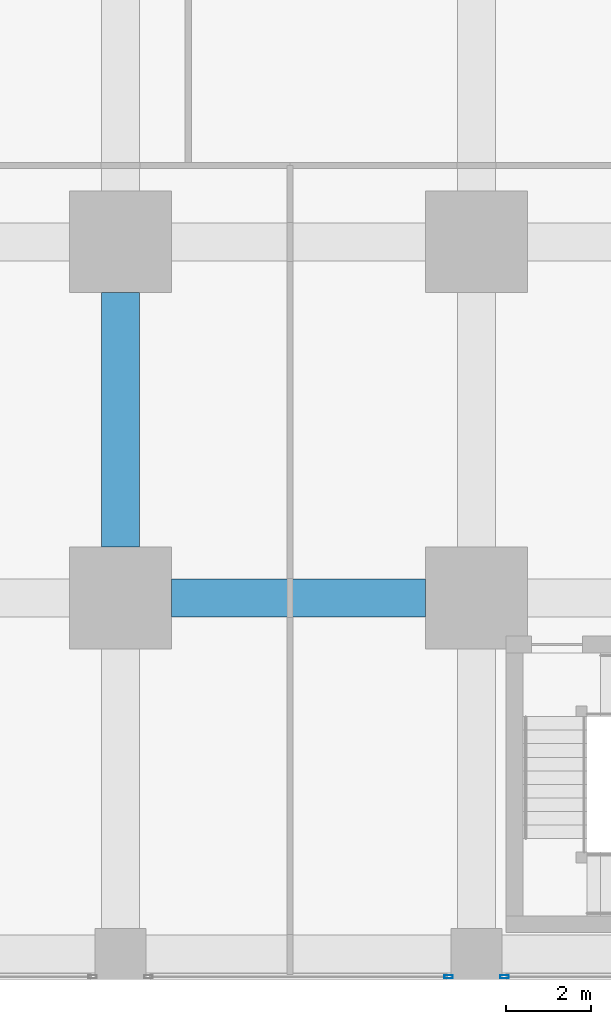
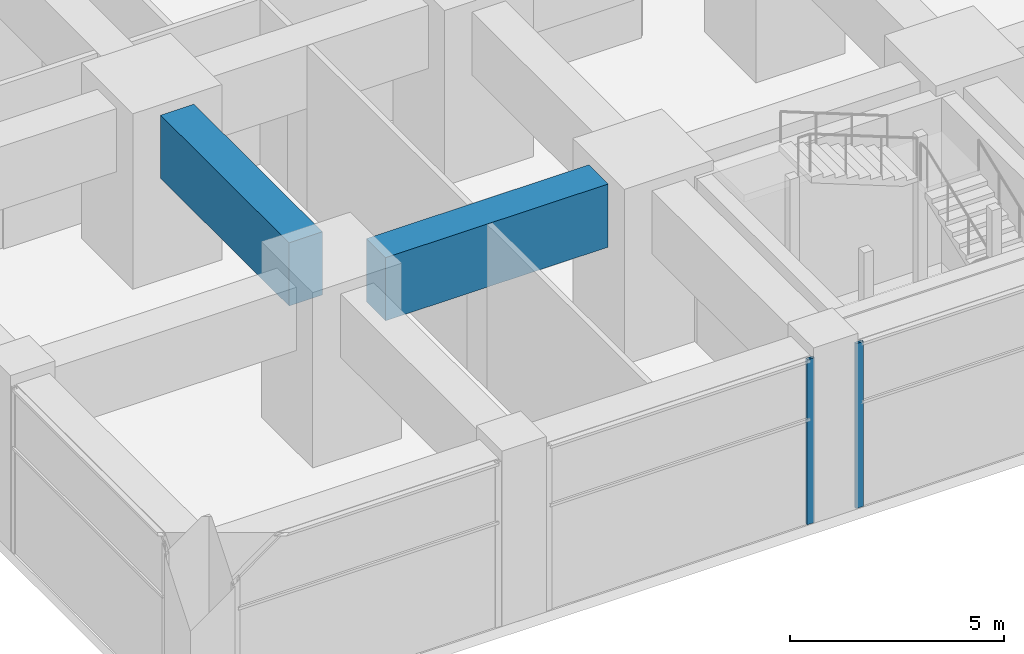
# One storey, part 6 of 49: 2 beams, 2 members, 2 elements without a shape of their own.
"""IFC4 building model written with IfcOpenShell, lengths in metres."""

from ifc_helpers import new_model, si_unit, direction, frame, origin, origin_2d, place, context, subcontext, project, spatial, rectangle, hollow_rectangle, extrude, material, material_profile, profile_set, type_object, element, aggregate, save


model = new_model("IFC4")

# Units and contexts
model_context = context("Model", 3, precision=1e-05, world=origin(), true_north=direction((0.0, 1.0)))
body_context = subcontext(model_context, "Body", "Model", "MODEL_VIEW")
ifc_project = project(units=[si_unit("LENGTHUNIT", "METRE"), si_unit("AREAUNIT", "SQUARE_METRE"), si_unit("VOLUMEUNIT", "CUBIC_METRE"), si_unit("PLANEANGLEUNIT", "RADIAN"), si_unit("MASSUNIT", "GRAM", prefix="KILO")], contexts=[model_context])

# Site, building, storey
site_placement = place(None, origin())
site = spatial("IfcSite", under=ifc_project, at=site_placement, CompositionType="ELEMENT")
building_placement = place(site_placement, origin())
building = spatial("IfcBuilding", under=site, at=building_placement, Name="Rekha Terrace Tower", CompositionType="ELEMENT")
storey_placement = place(building_placement, frame((0.0, 0.0, 10.39990234375)))
storey = spatial("IfcBuildingStorey", under=building, at=storey_placement, Name="L02", CompositionType="ELEMENT", Elevation=10.39990234375)

# Curtain wall, member
ifc_material_1 = material(Name="Aluminium framing", Category="aluminium")
curtain_wall_type = type_object("IfcCurtainWallType", Name="CW4 podium shopfront glazing", PredefinedType="USERDEFINED", material=ifc_material_1)
curtain_wall_1_placement = place(storey_placement, origin())
curtain_wall_1 = element("IfcCurtainWall", 1, at=curtain_wall_1_placement, inside=storey, type_object=curtain_wall_type, Name="CW4 shopfront curtain wall", ObjectType="SHOPFRONT CURTAIN WALL", PredefinedType="USERDEFINED")
ifc_material_2 = material(Name="Aluminium mullion section", Category="aluminium")
ifc_material_profile_1 = material_profile(ifc_material_2, hollow_rectangle(XDim=0.074951171875, YDim=0.199951171875, WallThickness=0.00390625, at=origin_2d()), Name="AL RHS 75x200")
ifc_profile_set_1 = profile_set([ifc_material_profile_1], Name="Aluminium mullion section")
member_type = type_object("IfcMemberType", Name="CW4 mullion RHS 75 x 200", PredefinedType="MULLION", material=ifc_profile_set_1)
member_1_placement = place(storey_placement, frame((16.142578125, -0.5400390625, 0.0), z_axis=(0.0, 0.0, 1.0), x_axis=(0.0, 1.0, 0.0)))
member_1 = element("IfcMember", 2, at=member_1_placement, type_object=member_type, Name="CW4 mullion 2", PredefinedType="MULLION", context=body_context, shape_type="SweptSolid", body=[
    extrude(hollow_rectangle(XDim=0.074951171875, YDim=0.199951171875, WallThickness=0.00390625, at=origin_2d()), origin(), (0.0, 0.0, 1.0), 4.7001953125),
])
aggregate(curtain_wall_1, [member_1])

curtain_wall_2_placement = place(storey_placement, origin())
curtain_wall_2 = element("IfcCurtainWall", 3, at=curtain_wall_2_placement, inside=storey, type_object=curtain_wall_type, Name="CW4 shopfront curtain wall", ObjectType="SHOPFRONT CURTAIN WALL", PredefinedType="USERDEFINED")
member_2_placement = place(storey_placement, frame((17.45751953125, -0.5400390625, 0.0), z_axis=(0.0, 0.0, 1.0), x_axis=(0.0, 1.0, 0.0)))
member_2 = element("IfcMember", 4, at=member_2_placement, type_object=member_type, Name="CW4 mullion 1", PredefinedType="MULLION", context=body_context, shape_type="SweptSolid", body=[
    extrude(hollow_rectangle(XDim=0.074951171875, YDim=0.199951171875, WallThickness=0.00390625, at=origin_2d()), origin(), (0.0, 0.0, 1.0), 4.7001953125),
])
aggregate(curtain_wall_2, [member_2])

# Beams
ifc_material_3 = material(Name="Concrete M60", Category="concrete")
ifc_material_profile_2 = material_profile(ifc_material_3, rectangle(XDim=0.89990234375, YDim=1.800048828125, at=origin_2d()), Name="RC 900x1800")
ifc_profile_set_2 = profile_set([ifc_material_profile_2], Name="Concrete M60")
beam_type = type_object("IfcBeamType", Name="G1 900x1800 podium floor beam", PredefinedType="BEAM", material=ifc_profile_set_2)
for number, where, z_axis, x_axis, name in (
    (5, (9.60009765625, 8.39990234375, 3.800048828125), (1.0, 0.0, 0.0), (0.0, 1.0, 0.0), "Beam G1 2B-3B under L03"),
    (6, (8.39990234375, 9.60009765625, 3.800048828125), (0.0, 1.0, 0.0), (-1.0, 0.0, 0.0), "Beam G1 2B-2C under L03"),
):
    element("IfcBeam", number, at=place(storey_placement, frame(where, z_axis=z_axis, x_axis=x_axis)), inside=storey, type_object=beam_type, Name=name, PredefinedType="BEAM", context=body_context, shape_type="SweptSolid", body=[
        extrude(rectangle(XDim=0.89990234375, YDim=1.800048828125, at=origin_2d()), origin(), (0.0, 0.0, 1.0), 6.0),
    ])

save(model, "model.ifc")
